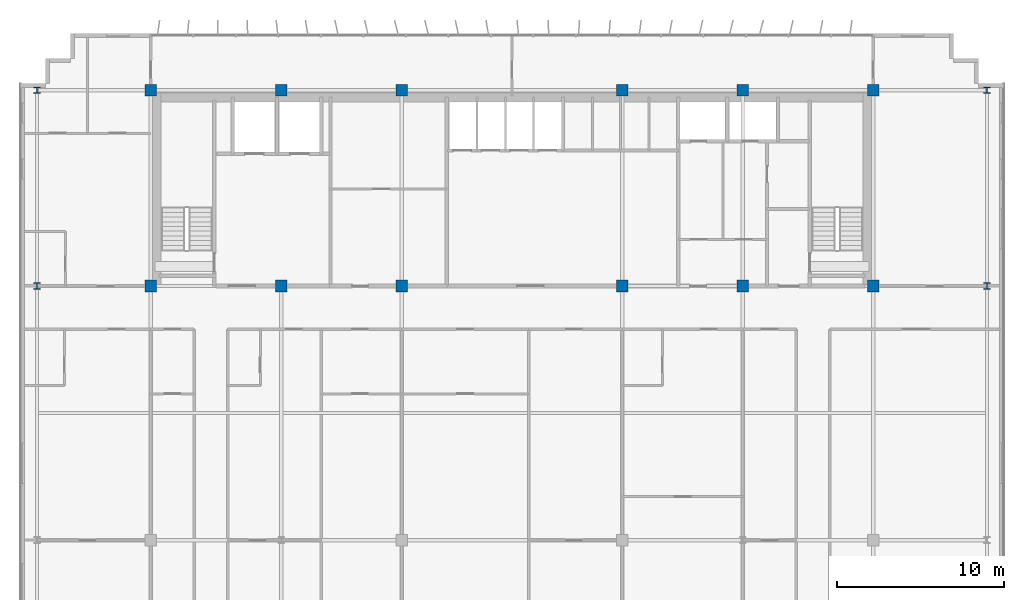
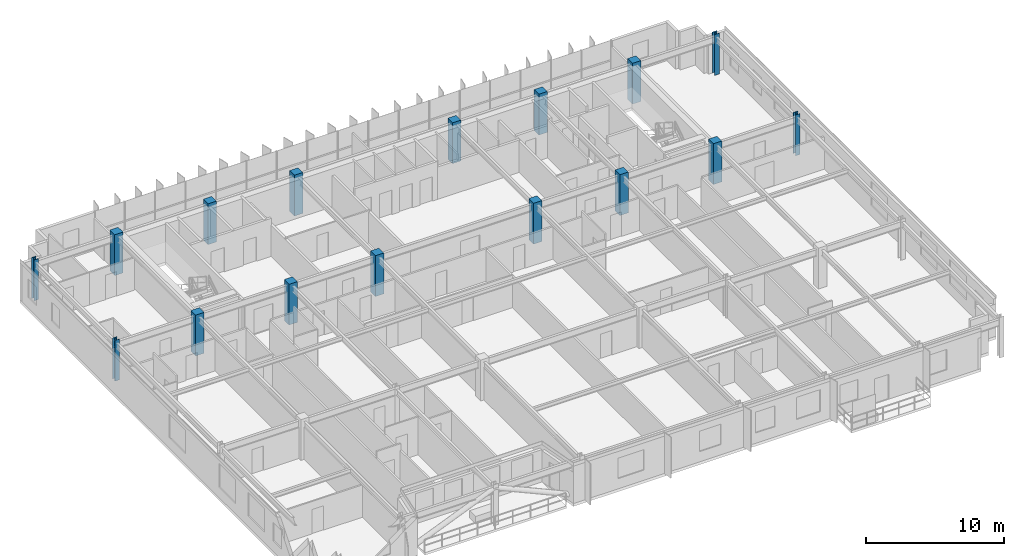
# One storey, part 2 of 20: 16 columns.
"""IFC4 building model written with IfcOpenShell, lengths in metres."""

from ifc_helpers import new_model, si_unit, direction, frame, origin, origin_2d, place, context, subcontext, project, spatial, rectangle, i_section, extrude, source, transform, mapped, material, material_profile, profile_set, type_object, element, save


model = new_model("IFC4")

# Units and contexts
model_context = context("Model", 3, precision=1e-05, world=origin(), true_north=direction((0.0, 1.0)))
body_context = subcontext(model_context, "Body", "Model", "MODEL_VIEW")
ifc_project = project(units=[si_unit("LENGTHUNIT", "METRE"), si_unit("AREAUNIT", "SQUARE_METRE"), si_unit("VOLUMEUNIT", "CUBIC_METRE"), si_unit("PLANEANGLEUNIT", "RADIAN"), si_unit("MASSUNIT", "GRAM", prefix="KILO")], contexts=[model_context])

# Site, building, storey
site_placement = place(None, origin())
site = spatial("IfcSite", under=ifc_project, at=site_placement, CompositionType="ELEMENT")
building_placement = place(site_placement, origin())
building = spatial("IfcBuilding", under=site, at=building_placement, Name="Trelvane Seafront Commons", CompositionType="ELEMENT")
storey_placement = place(building_placement, frame((0.0, 0.0, 171.699951171875)))
storey = spatial("IfcBuildingStorey", under=building, at=storey_placement, Name="L45", CompositionType="ELEMENT", Elevation=171.699951171875)

# Columns
ifc_material_1 = material(Name="Steel SM355 (S355)", Category="steel")
ifc_material_profile_1 = material_profile(ifc_material_1, i_section(OverallWidth=0.3798828125, OverallDepth=0.3798828125, WebThickness=0.02001953125, FlangeThickness=0.030029296875, at=origin_2d()), Name="HD-380x380x20x30")
ifc_profile_set_1 = profile_set([ifc_material_profile_1], Name="Steel SM355 (S355)")
column_type_1 = type_object("IfcColumnType", Name="STR-COL-HD380", PredefinedType="COLUMN", material=ifc_profile_set_1)
shared_shape_1 = source(origin(), body_context, "Body", "SweptSolid", [
    extrude(i_section(OverallWidth=0.3798828125, OverallDepth=0.3798828125, WebThickness=0.02001953125, FlangeThickness=0.030029296875, at=origin_2d()), origin(), (0.0, 0.0, 1.0), 3.60009765625),
])
for number, where, z_axis, x_axis, name in (
    (1, (8.800048828125, 33.39990234375, 0.0), (0.0, 0.0, 1.0), (1.0, 0.0, 0.0), "L45 Column TC-CS8.8"),
    (2, (8.800048828125, 45.10009765625, 0.0), (0.0, 0.0, 1.0), (1.0, 0.0, 0.0), "L45 Column TC-CN8.8"),
    (3, (65.60009765625, 33.39990234375, 0.0), (0.0, 0.0, 1.0), (1.0, 0.0, 0.0), "L45 Column TC-CS65.6"),
    (4, (65.60009765625, 45.10009765625, 0.0), (0.0, 0.0, 1.0), (1.0, 0.0, 0.0), "L45 Column TC-CN65.6"),
):
    element("IfcColumn", number, at=place(storey_placement, frame(where, z_axis=z_axis, x_axis=x_axis)), inside=storey, type_object=column_type_1, Name=name, PredefinedType="COLUMN", context=body_context, shape_type="MappedRepresentation", body=[
        mapped(shared_shape_1, transform((0.0, 0.0, 0.0), x_axis=(1.0, 0.0, 0.0), y_axis=(0.0, 1.0, 0.0), z_axis=(0.0, 0.0, 1.0), scale=1.0)),
    ])
ifc_material_2 = material(Name="Concrete C50/60", Category="concrete")
ifc_material_profile_2 = material_profile(ifc_material_2, rectangle(XDim=0.699951171875, YDim=0.699951171875, at=origin_2d()), Name="RC-700x700")
ifc_profile_set_2 = profile_set([ifc_material_profile_2], Name="Concrete C50/60")
column_type_2 = type_object("IfcColumnType", Name="STR-COL-RC700", PredefinedType="COLUMN", material=ifc_profile_set_2)
shared_shape_2 = source(origin(), body_context, "Body", "SweptSolid", [
    extrude(rectangle(XDim=0.699951171875, YDim=0.699951171875, at=origin_2d()), origin(), (0.0, 0.0, 1.0), 3.60009765625),
])
for number, where, z_axis, x_axis, name in (
    (5, (15.60009765625, 33.39990234375, 0.0), (0.0, 0.0, 1.0), (1.0, 0.0, 0.0), "L45 Column TC-CS15.6"),
    (6, (15.60009765625, 45.10009765625, 0.0), (0.0, 0.0, 1.0), (1.0, 0.0, 0.0), "L45 Column TC-CN15.6"),
    (7, (23.39990234375, 33.39990234375, 0.0), (0.0, 0.0, 1.0), (1.0, 0.0, 0.0), "L45 Column TC-CS23.4"),
    (8, (23.39990234375, 45.10009765625, 0.0), (0.0, 0.0, 1.0), (1.0, 0.0, 0.0), "L45 Column TC-CN23.4"),
    (9, (30.60009765625, 33.39990234375, 0.0), (0.0, 0.0, 1.0), (1.0, 0.0, 0.0), "L45 Column TC-CS30.6"),
    (10, (30.60009765625, 45.10009765625, 0.0), (0.0, 0.0, 1.0), (1.0, 0.0, 0.0), "L45 Column TC-CN30.6"),
    (11, (43.800048828125, 33.39990234375, 0.0), (0.0, 0.0, 1.0), (1.0, 0.0, 0.0), "L45 Column TC-CS43.8"),
    (12, (43.800048828125, 45.10009765625, 0.0), (0.0, 0.0, 1.0), (1.0, 0.0, 0.0), "L45 Column TC-CN43.8"),
    (13, (51.0, 33.39990234375, 0.0), (0.0, 0.0, 1.0), (1.0, 0.0, 0.0), "L45 Column TC-CS51.0"),
    (14, (51.0, 45.10009765625, 0.0), (0.0, 0.0, 1.0), (1.0, 0.0, 0.0), "L45 Column TC-CN51.0"),
    (15, (58.800048828125, 33.39990234375, 0.0), (0.0, 0.0, 1.0), (1.0, 0.0, 0.0), "L45 Column TC-CS58.8"),
    (16, (58.800048828125, 45.10009765625, 0.0), (0.0, 0.0, 1.0), (1.0, 0.0, 0.0), "L45 Column TC-CN58.8"),
):
    element("IfcColumn", number, at=place(storey_placement, frame(where, z_axis=z_axis, x_axis=x_axis)), inside=storey, type_object=column_type_2, Name=name, PredefinedType="COLUMN", context=body_context, shape_type="MappedRepresentation", body=[
        mapped(shared_shape_2, transform((0.0, 0.0, 0.0), x_axis=(1.0, 0.0, 0.0), y_axis=(0.0, 1.0, 0.0), z_axis=(0.0, 0.0, 1.0), scale=1.0)),
    ])

save(model, "model.ifc")
